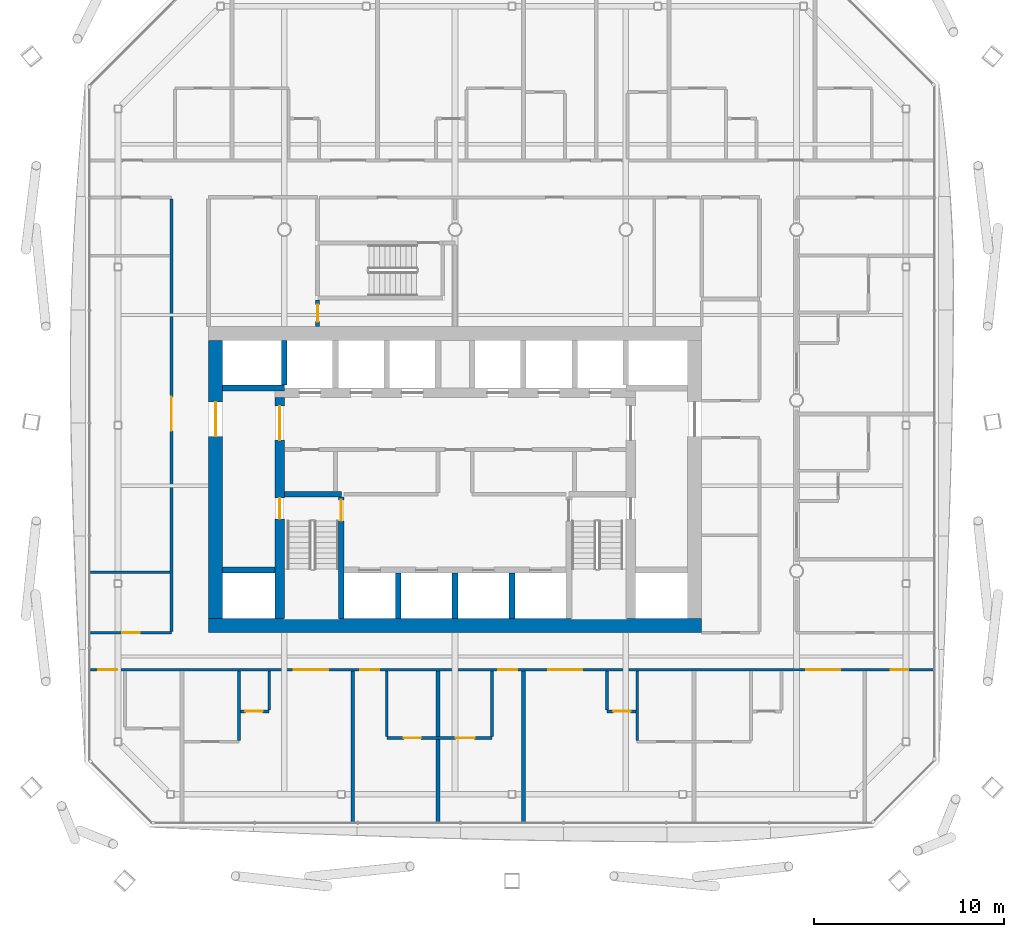
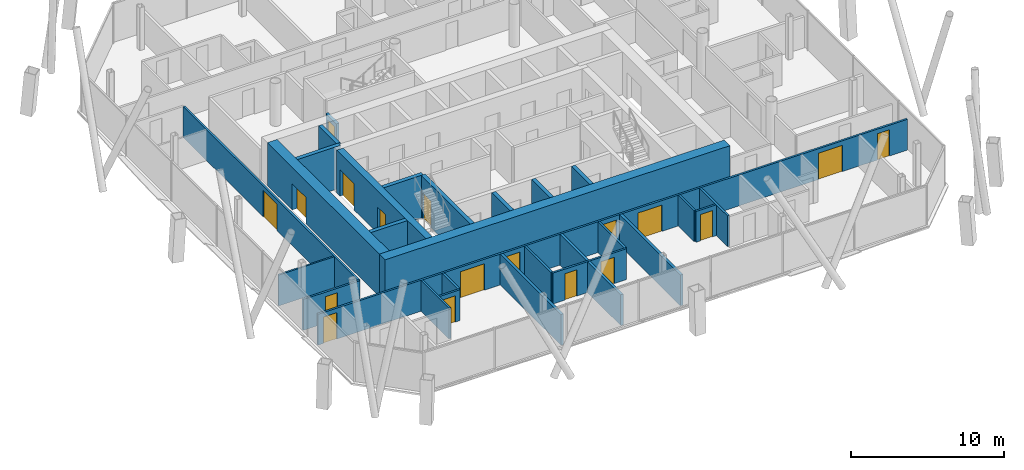
# One storey, part 14 of 23: 28 walls, 18 doors, 18 openings.
"""IFC4 building model written with IfcOpenShell, lengths in metres."""

import ifcopenshell
import ifcopenshell.guid

model = None  # the IFC model being written
_history = None  # IfcOwnerHistory: only IFC2X3 demands one
_inside = {}  # id of a spatial element -> (the spatial element, [elements in it])
_under = {}  # id of a project, library or spatial element -> (it, [spatial elements below it])
_declared = {}  # id of a project -> (the project, [libraries it declares])
_typed = {}  # id of a type object -> (the type object, [elements of that type])
_made_of = {}  # id of a material, layer set ... -> (it, [elements and type objects made of it])


def new_model(schema):
    """Start an empty IFC model of exactly this schema.

    Asked for "IFC4X3", IfcOpenShell would pick the latest addendum, in which some entities
    have other attributes; the version numbers below select the first issue.
    IFC2X3 requires an IfcOwnerHistory on every rooted entity: one is made here for all.
    """
    global model, _history
    if schema == "IFC4X3":
        model = ifcopenshell.file(schema_version=(4, 3, 0, 0))
    else:
        model = ifcopenshell.file(schema=schema)
    _inside.clear()
    _under.clear()
    _declared.clear()
    _typed.clear()
    _made_of.clear()
    _history = None
    if model.schema == "IFC2X3":
        org = make("IfcOrganization", Name="unknown")
        user = make(
            "IfcPersonAndOrganization",
            ThePerson=make("IfcPerson", FamilyName="unknown"),
            TheOrganization=org,
        )
        app = make(
            "IfcApplication",
            ApplicationDeveloper=org,
            Version="unknown",
            ApplicationFullName="unknown",
            ApplicationIdentifier="unknown",
        )
        _history = make(
            "IfcOwnerHistory",
            OwningUser=user,
            OwningApplication=app,
            ChangeAction="ADDED",
            CreationDate=0,
        )
    return model


def make(cls, **values):
    """One entity of the class cls with the attributes given. An attribute that is None is left unset."""
    return model.create_entity(
        cls, **{name: value for name, value in values.items() if value is not None}
    )


def rooted(cls, **values):
    """An entity with a GlobalId (a new one), such as an element, a storey or a relation."""
    return make(cls, GlobalId=ifcopenshell.guid.new(), OwnerHistory=_history, **values)


def si_unit(unit_type, name, prefix=None):
    """IfcSIUnit, for example si_unit("LENGTHUNIT", "METRE", prefix="MILLI")."""
    return make("IfcSIUnit", UnitType=unit_type, Prefix=prefix, Name=name)


def assignment(units):
    """IfcUnitAssignment: the units of a project."""
    return None if units is None else make("IfcUnitAssignment", Units=units)


def point(xyz):
    """IfcCartesianPoint."""
    return None if xyz is None else make("IfcCartesianPoint", Coordinates=xyz)


def direction(xyz):
    """IfcDirection."""
    return None if xyz is None else make("IfcDirection", DirectionRatios=xyz)


def frame(location, z_axis=None, x_axis=None):
    """IfcAxis2Placement3D, a coordinate frame: its origin and axes. An axis left out is left unset."""
    return make(
        "IfcAxis2Placement3D",
        Location=point(location),
        Axis=direction(z_axis),
        RefDirection=direction(x_axis),
    )


def frame_2d(location, x_axis=None):
    """IfcAxis2Placement2D, a coordinate frame in the plane: its origin and x axis."""
    return make(
        "IfcAxis2Placement2D", Location=point(location), RefDirection=direction(x_axis)
    )


def origin():
    """The frame at (0, 0, 0) with its axes left unset."""
    return frame((0.0, 0.0, 0.0))


def place(relative_to, where):
    """IfcLocalPlacement: puts the frame where relative to a parent placement (None: the world)."""
    return make(
        "IfcLocalPlacement", PlacementRelTo=relative_to, RelativePlacement=where
    )


def context(
    kind, dimensions, precision=None, world=None, true_north=None, identifier=None
):
    """IfcGeometricRepresentationContext, for example the 3D "Model" context."""
    return make(
        "IfcGeometricRepresentationContext",
        ContextIdentifier=identifier,
        ContextType=kind,
        CoordinateSpaceDimension=dimensions,
        Precision=precision,
        WorldCoordinateSystem=world,
        TrueNorth=true_north,
    )


def subcontext(parent, identifier, kind, view, scale=None):
    """IfcGeometricRepresentationSubContext, for example "Body" below "Model"."""
    return make(
        "IfcGeometricRepresentationSubContext",
        ContextIdentifier=identifier,
        ContextType=kind,
        ParentContext=parent,
        TargetScale=scale,
        TargetView=view,
    )


def project(units=None, contexts=None):
    """IfcProject with its units and contexts."""
    return rooted(
        "IfcProject",
        Name="project",
        RepresentationContexts=contexts,
        UnitsInContext=assignment(units),
    )


def spatial(cls, under=None, at=None, **own):
    """A site, building, storey or space (cls), placed at a placement, below another one or the project."""
    s = rooted(cls, ObjectPlacement=at, **own)
    if under is not None:
        _under.setdefault(under.id(), (under, []))[1].append(s)
    return s


def profile(cls, at=None, kind="AREA", **sizes):
    """A parametric profile (cls). Its sizes go by their IFC names, for example OverallWidth=200.0."""
    return make(cls, ProfileType=kind, Position=at, **sizes)


def rectangle(**sizes):
    """IfcRectangleProfileDef."""
    return profile("IfcRectangleProfileDef", **sizes)


def extrude(swept, where, along, depth):
    """IfcExtrudedAreaSolid: the profile swept, set in the frame where, extruded along a direction by depth."""
    return make(
        "IfcExtrudedAreaSolid",
        SweptArea=swept,
        Position=where,
        ExtrudedDirection=direction(along),
        Depth=depth,
    )


def shape(context_of_items, identifier, shape_type, items):
    """IfcShapeRepresentation: the items that make up one representation, for example the "Body"."""
    return make(
        "IfcShapeRepresentation",
        ContextOfItems=context_of_items,
        RepresentationIdentifier=identifier,
        RepresentationType=shape_type,
        Items=items,
    )


def material(Name=None, Category=None):
    """IfcMaterial."""
    return make("IfcMaterial", Name=Name, Category=Category)


def layer(
    of_material, thickness, ventilated=None, Name=None, Category=None, Priority=None
):
    """IfcMaterialLayer: one layer of a wall or slab, of a material (None: an air gap)."""
    return make(
        "IfcMaterialLayer",
        Material=of_material,
        LayerThickness=thickness,
        IsVentilated=ventilated,
        Name=Name,
        Category=Category,
        Priority=Priority,
    )


def layer_set(layers, Name=None):
    """IfcMaterialLayerSet."""
    return make("IfcMaterialLayerSet", MaterialLayers=layers, LayerSetName=Name)


def made_of(thing, what):
    """Note that an element or type object is made of a material, layer set ...; save() writes the relation."""
    if what is not None:
        _made_of.setdefault(what.id(), (what, []))[1].append(thing)
    return thing


def type_object(cls, material=None, **own):
    """A type object (cls), such as IfcWallType, which elements share."""
    return made_of(rooted(cls, **own), material)


def element(
    cls,
    number,
    at=None,
    inside=None,
    cuts=None,
    type_object=None,
    material=None,
    context=None,
    identifier="Body",
    shape_type=None,
    held_by="IfcProductDefinitionShape",
    body=None,
    shapes=None,
    **own,
):
    """One element of the class cls, such as IfcWall. Its Tag is "e" and its number.

    at: its placement. inside: the storey or other place that contains it. cuts: it is an
    opening in that element (IfcRelVoidsElement). A single representation is given by context,
    identifier, shape_type and body (its items); several are given by shapes. held_by: the class
    of the entity that holds the representations. save() writes the other relations.
    """
    e = rooted(cls, Tag="e%d" % number, ObjectPlacement=at, **own)
    if body is not None:
        shapes = [shape(context, identifier, shape_type, body)]
    if shapes is not None:
        e.Representation = make(held_by, Representations=shapes)
    if inside is not None:
        _inside.setdefault(inside.id(), (inside, []))[1].append(e)
    if cuts is not None:
        rooted(
            "IfcRelVoidsElement", RelatingBuildingElement=cuts, RelatedOpeningElement=e
        )
    if type_object is not None:
        _typed.setdefault(type_object.id(), (type_object, []))[1].append(e)
    return made_of(e, material)


def fill(opening, filler):
    """IfcRelFillsElement: the door or window that sits in an opening."""
    return rooted(
        "IfcRelFillsElement",
        RelatingOpeningElement=opening,
        RelatedBuildingElement=filler,
    )


def aggregate(whole, parts):
    """IfcRelAggregates: a whole, such as a stair, and the parts it consists of."""
    return rooted("IfcRelAggregates", RelatingObject=whole, RelatedObjects=parts)


def save(model, path):
    """Write the relations noted so far, then the file.

    IfcRelAggregates (storeys below a building ...), IfcRelContainedInSpatialStructure (elements
    in a storey), IfcRelDefinesByType, IfcRelAssociatesMaterial and IfcRelDeclares: one each for
    every whole, place, type object, material and project.
    """
    for whole, parts in _under.values():
        aggregate(whole, parts)
    for where, things in _inside.values():
        rooted(
            "IfcRelContainedInSpatialStructure",
            RelatedElements=things,
            RelatingStructure=where,
        )
    for kind, things in _typed.values():
        rooted("IfcRelDefinesByType", RelatedObjects=things, RelatingType=kind)
    for what, things in _made_of.values():
        rooted("IfcRelAssociatesMaterial", RelatedObjects=things, RelatingMaterial=what)
    for by, libraries in _declared.values():
        rooted("IfcRelDeclares", RelatingContext=by, RelatedDefinitions=libraries)
    model.write(path)


model = new_model("IFC4")

# Units and contexts
model_context = context("Model", 3, precision=1e-05, world=origin(), true_north=direction((0.0, 1.0)))
body_context = subcontext(model_context, "Body", "Model", "MODEL_VIEW")
ifc_project = project(units=[si_unit("LENGTHUNIT", "METRE"), si_unit("AREAUNIT", "SQUARE_METRE"), si_unit("VOLUMEUNIT", "CUBIC_METRE"), si_unit("PLANEANGLEUNIT", "RADIAN"), si_unit("MASSUNIT", "GRAM", prefix="KILO")], contexts=[model_context])

# Site, building, storey
site_placement = place(None, origin())
site = spatial("IfcSite", under=ifc_project, at=site_placement, CompositionType="ELEMENT")
building_placement = place(site_placement, origin())
building = spatial("IfcBuilding", under=site, at=building_placement, Name="Tskaro Facet Tower", CompositionType="ELEMENT")
storey_placement = place(building_placement, frame((0.0, 0.0, 141.89990234375)))
storey = spatial("IfcBuildingStorey", under=building, at=storey_placement, Name="L34", CompositionType="ELEMENT", Elevation=141.89990234375)

# Walls
ifc_material_1 = material(Name="Concrete C60/75", Category="concrete")
ifc_layer_1 = layer(ifc_material_1, 0.300048828125, Name="Concrete C60/75")
ifc_layer_set_1 = layer_set([ifc_layer_1], Name="Concrete C60/75")
wall_type_1 = type_object("IfcWallType", Name="CORE-SHAFT", PredefinedType="SHEAR", material=ifc_layer_set_1)
wall_1_placement = place(storey_placement, frame((-12.25, -8.949951171875, 0.0), z_axis=(0.0, 0.0, 1.0), x_axis=(1.0, 0.0, 0.0)))
element("IfcWall", 1, at=wall_1_placement, inside=storey, type_object=wall_type_1, Name="Shaft wall W013", PredefinedType="SHEAR", context=body_context, shape_type="SweptSolid", body=[
    extrude(rectangle(XDim=2.75, YDim=0.300048828125, at=frame_2d((1.375, 0.0))), origin(), (0.0, 0.0, 1.0), 3.400146484375),
])
wall_2_placement = place(storey_placement, frame((-9.0, -4.949951171875, 0.0), z_axis=(0.0, 0.0, 1.0), x_axis=(1.0, 0.0, 0.0)))
element("IfcWall", 2, at=wall_2_placement, inside=storey, type_object=wall_type_1, Name="Shaft wall W019", PredefinedType="SHEAR", context=body_context, shape_type="SweptSolid", body=[
    extrude(rectangle(XDim=3.0, YDim=0.300048828125, at=frame_2d((1.5, 0.0))), origin(), (0.0, 0.0, 1.0), 3.400146484375),
])
wall_3_placement = place(storey_placement, frame((-9.0, 0.64990234375, 0.0), z_axis=(0.0, 0.0, 1.0), x_axis=(-1.0, 0.0, 0.0)))
element("IfcWall", 3, at=wall_3_placement, inside=storey, type_object=wall_type_1, Name="Shaft wall W028", PredefinedType="SHEAR", context=body_context, shape_type="SweptSolid", body=[
    extrude(rectangle(XDim=3.25, YDim=0.300048828125, at=frame_2d((1.625, 0.0))), origin(), (0.0, 0.0, 1.0), 3.400146484375),
])
wall_4_placement = place(storey_placement, frame((-9.0, 0.800048828125, 0.0), z_axis=(0.0, 0.0, 1.0), x_axis=(0.0, 1.0, 0.0)))
element("IfcWall", 4, at=wall_4_placement, inside=storey, type_object=wall_type_1, Name="Shaft wall W062", PredefinedType="SHEAR", context=body_context, shape_type="SweptSolid", body=[
    extrude(rectangle(XDim=2.349853515625, YDim=0.300048828125, at=frame_2d((1.1748046875, 0.0))), origin(), (0.0, 0.0, 1.0), 3.400146484375),
])

# Wall, opening, door
wall_5_placement = place(storey_placement, frame((-6.0, -11.5, 0.0), z_axis=(0.0, 0.0, 1.0), x_axis=(0.0, 1.0, 0.0)))
wall_5 = element("IfcWall", 5, at=wall_5_placement, inside=storey, type_object=wall_type_1, Name="Shaft wall W070", PredefinedType="SHEAR", context=body_context, shape_type="SweptSolid", body=[
    extrude(rectangle(XDim=6.39990234375, YDim=0.300048828125, at=frame_2d((3.199951171875, 0.0))), origin(), (0.0, 0.0, 1.0), 3.400146484375),
])
opening_1_placement = place(wall_5_placement, frame((5.14990234375, 0.0, 0.0)))
opening_1 = element("IfcOpeningElement", 6, at=opening_1_placement, cuts=wall_5, Name="Opening ST-1-D1", PredefinedType="OPENING", context=body_context, shape_type="SweptSolid", body=[
    extrude(rectangle(XDim=1.10009765625, YDim=2.10009765625, at=frame_2d((0.550048828125, 1.050048828125))), frame((0.0, 0.159912109375, 0.0), z_axis=(0.0, -1.0, 0.0), x_axis=(1.0, 0.0, 0.0)), (0.0, 0.0, 1.0), 0.320068359375),
])
ifc_material_2 = material(Name="Steel", Category="steel")
door_type_1 = type_object("IfcDoorType", Name="D-STAIR", OperationType="NOTDEFINED", PredefinedType="DOOR", material=ifc_material_2)
door_1_placement = place(opening_1_placement, origin())
door_1 = element("IfcDoor", 7, at=door_1_placement, inside=storey, type_object=door_type_1, Name="Stair door 1", OperationType="SINGLE_SWING_LEFT", OverallHeight=2.10009765625, OverallWidth=1.10009765625, PredefinedType="DOOR", context=body_context, shape_type="SweptSolid", body=[
    extrude(rectangle(XDim=1.10009765625, YDim=2.10009765625, at=frame_2d((0.550048828125, 1.050048828125))), frame((0.0, 0.02490234375, 0.0), z_axis=(0.0, -1.0, 0.0), x_axis=(1.0, 0.0, 0.0)), (0.0, 0.0, 1.0), 0.050048828125),
])
fill(opening_1, door_1)

# Walls
for number, where, z_axis, x_axis, name in (
    (8, (-3.0, -11.5, 0.0), (0.0, 0.0, 1.0), (0.0, 1.0, 0.0), "Shaft wall W075"),
    (9, (0.0, -11.5, 0.0), (0.0, 0.0, 1.0), (0.0, 1.0, 0.0), "Shaft wall W081"),
    (10, (3.0, -11.5, 0.0), (0.0, 0.0, 1.0), (0.0, 1.0, 0.0), "Shaft wall W088"),
):
    element("IfcWall", number, at=place(storey_placement, frame(where, z_axis=z_axis, x_axis=x_axis)), inside=storey, type_object=wall_type_1, Name=name, PredefinedType="SHEAR", context=body_context, shape_type="SweptSolid", body=[
        extrude(rectangle(XDim=2.39990234375, YDim=0.300048828125, at=frame_2d((1.199951171875, 0.0))), origin(), (0.0, 0.0, 1.0), 3.400146484375),
    ])

# Wall, openings, doors
ifc_material_3 = material(Name="Concrete C40/50", Category="concrete")
ifc_layer_2 = layer(ifc_material_3, 0.5, Name="Concrete C40/50")
ifc_layer_set_2 = layer_set([ifc_layer_2], Name="Concrete C40/50")
wall_type_2 = type_object("IfcWallType", Name="Core wall 500", PredefinedType="SHEAR", material=ifc_layer_set_2)
wall_6_placement = place(storey_placement, frame((-9.25, -11.5, 0.0), z_axis=(0.0, 0.0, 1.0), x_axis=(0.0, 1.0, 0.0)))
wall_6 = element("IfcWall", 11, at=wall_6_placement, inside=storey, type_object=wall_type_2, Name="Core wall CW-Z3W", PredefinedType="SHEAR", context=body_context, shape_type="SweptSolid", body=[
    extrude(rectangle(XDim=11.64990234375, YDim=0.5, at=frame_2d((5.824951171875, 0.0))), origin(), (0.0, 0.0, 1.0), 3.400146484375),
])
opening_2_placement = place(wall_6_placement, frame((9.39990234375, 0.0, 0.0)))
opening_2 = element("IfcOpeningElement", 12, at=opening_2_placement, cuts=wall_6, Name="Opening T10-D30", PredefinedType="OPENING", context=body_context, shape_type="SweptSolid", body=[
    extrude(rectangle(XDim=1.800048828125, YDim=2.10009765625, at=frame_2d((0.89990234375, 1.050048828125))), frame((0.0, 0.260009765625, 0.0), z_axis=(0.0, -1.0, 0.0), x_axis=(1.0, 0.0, 0.0)), (0.0, 0.0, 1.0), 0.52001953125),
])
opening_3_placement = place(wall_6_placement, frame((5.25, 0.0, 0.0)))
opening_3 = element("IfcOpeningElement", 13, at=opening_3_placement, cuts=wall_6, Name="Opening ST-1-D2", PredefinedType="OPENING", context=body_context, shape_type="SweptSolid", body=[
    extrude(rectangle(XDim=1.10009765625, YDim=2.10009765625, at=frame_2d((0.550048828125, 1.050048828125))), frame((0.0, 0.260009765625, 0.0), z_axis=(0.0, -1.0, 0.0), x_axis=(1.0, 0.0, 0.0)), (0.0, 0.0, 1.0), 0.52001953125),
])
door_type_2 = type_object("IfcDoorType", Name="D-CORE-PAIR", OperationType="NOTDEFINED", PredefinedType="DOOR", material=ifc_material_2)
door_2_placement = place(opening_2_placement, origin())
door_2 = element("IfcDoor", 14, at=door_2_placement, inside=storey, type_object=door_type_2, Name="Door T10-D30", OperationType="DOUBLE_DOOR_SINGLE_SWING", OverallHeight=2.10009765625, OverallWidth=1.800048828125, PredefinedType="DOOR", context=body_context, shape_type="SweptSolid", body=[
    extrude(rectangle(XDim=1.800048828125, YDim=2.10009765625, at=frame_2d((0.89990234375, 1.050048828125))), frame((0.0, 0.02490234375, 0.0), z_axis=(0.0, -1.0, 0.0), x_axis=(1.0, 0.0, 0.0)), (0.0, 0.0, 1.0), 0.050048828125),
])
fill(opening_2, door_2)
door_3_placement = place(opening_3_placement, origin())
door_3 = element("IfcDoor", 15, at=door_3_placement, inside=storey, type_object=door_type_1, Name="Stair door 1 west", OperationType="SINGLE_SWING_LEFT", OverallHeight=2.10009765625, OverallWidth=1.10009765625, PredefinedType="DOOR", context=body_context, shape_type="SweptSolid", body=[
    extrude(rectangle(XDim=1.10009765625, YDim=2.10009765625, at=frame_2d((0.550048828125, 1.050048828125))), frame((0.0, 0.02490234375, 0.0), z_axis=(0.0, -1.0, 0.0), x_axis=(1.0, 0.0, 0.0)), (0.0, 0.0, 1.0), 0.050048828125),
])
fill(opening_3, door_3)

# Wall
ifc_material_4 = material(Name="Concrete C50/60", Category="concrete")
ifc_layer_3 = layer(ifc_material_4, 0.75, Name="Concrete C50/60")
ifc_layer_set_3 = layer_set([ifc_layer_3], Name="Concrete C50/60")
wall_type_3 = type_object("IfcWallType", Name="Core wall 750", PredefinedType="SHEAR", material=ifc_layer_set_3)
wall_7_placement = place(storey_placement, frame((-13.0, -11.875, 0.0), z_axis=(0.0, 0.0, 1.0), x_axis=(1.0, 0.0, 0.0)))
element("IfcWall", 16, at=wall_7_placement, inside=storey, type_object=wall_type_3, Name="Core wall CW-Z2S", PredefinedType="SHEAR", context=body_context, shape_type="SweptSolid", body=[
    extrude(rectangle(XDim=26.0, YDim=0.75, at=frame_2d((13.0, 0.0))), origin(), (0.0, 0.0, 1.0), 3.400146484375),
])

# Wall, opening, door
wall_8_placement = place(storey_placement, frame((-12.625, -11.5, 0.0), z_axis=(0.0, 0.0, 1.0), x_axis=(0.0, 1.0, 0.0)))
wall_8 = element("IfcWall", 17, at=wall_8_placement, inside=storey, type_object=wall_type_3, Name="Core wall CW-Z2W", PredefinedType="SHEAR", context=body_context, shape_type="SweptSolid", body=[
    extrude(rectangle(XDim=14.64990234375, YDim=0.75, at=frame_2d((7.324951171875, 0.0))), origin(), (0.0, 0.0, 1.0), 3.400146484375),
])
opening_4_placement = place(wall_8_placement, frame((9.60009765625, 0.0, 0.0)))
opening_4 = element("IfcOpeningElement", 18, at=opening_4_placement, cuts=wall_8, Name="Opening T10-D32", PredefinedType="OPENING", context=body_context, shape_type="SweptSolid", body=[
    extrude(rectangle(XDim=1.800048828125, YDim=2.10009765625, at=frame_2d((0.89990234375, 1.050048828125))), frame((0.0, 0.385009765625, 0.0), z_axis=(0.0, -1.0, 0.0), x_axis=(1.0, 0.0, 0.0)), (0.0, 0.0, 1.0), 0.77001953125),
])
door_4_placement = place(opening_4_placement, origin())
door_4 = element("IfcDoor", 19, at=door_4_placement, inside=storey, type_object=door_type_2, Name="Door T10-D32", OperationType="DOUBLE_DOOR_SINGLE_SWING", OverallHeight=2.10009765625, OverallWidth=1.800048828125, PredefinedType="DOOR", context=body_context, shape_type="SweptSolid", body=[
    extrude(rectangle(XDim=1.800048828125, YDim=2.10009765625, at=frame_2d((0.89990234375, 1.050048828125))), frame((0.0, 0.02490234375, 0.0), z_axis=(0.0, -1.0, 0.0), x_axis=(1.0, 0.0, 0.0)), (0.0, 0.0, 1.0), 0.050048828125),
])
fill(opening_4, door_4)

# Wall
ifc_material_5 = material(Name="Gypsum board on steel studs", Category="steel")
ifc_layer_4 = layer(ifc_material_5, 0.125, Name="Gypsum board on steel studs")
ifc_layer_set_4 = layer_set([ifc_layer_4], Name="Gypsum board on steel studs")
wall_type_4 = type_object("IfcWallType", Name="PART", PredefinedType="PARTITIONING", material=ifc_layer_set_4)
wall_9_placement = place(storey_placement, frame((-19.221923828125, -9.056884765625, 0.0), z_axis=(0.0, 0.0, 1.0), x_axis=(1.0, 0.0, 0.0)))
element("IfcWall", 20, at=wall_9_placement, inside=storey, type_object=wall_type_4, Name="Partition W012", PredefinedType="PARTITIONING", context=body_context, shape_type="SweptSolid", body=[
    extrude(rectangle(XDim=4.197021484375, YDim=0.125, at=frame_2d((2.0986328125, 0.0))), origin(), (0.0, 0.0, 1.0), 2.460205078125),
])

# Wall, openings, doors
ifc_layer_5 = layer(ifc_material_5, 0.14990234375, Name="Gypsum board on steel studs")
ifc_layer_set_5 = layer_set([ifc_layer_5], Name="Gypsum board on steel studs")
wall_type_5 = type_object("IfcWallType", Name="PART-CORR", PredefinedType="PARTITIONING", material=ifc_layer_set_5)
wall_10_placement = place(storey_placement, frame((-3.60009765625, -17.800048828125, 0.0), z_axis=(0.0, 0.0, 1.0), x_axis=(1.0, 0.0, 0.0)))
wall_10 = element("IfcWall", 21, at=wall_10_placement, inside=storey, type_object=wall_type_5, Name="Corridor wall W003", PredefinedType="PARTITIONING", context=body_context, shape_type="SweptSolid", body=[
    extrude(rectangle(XDim=5.550048828125, YDim=0.14990234375, at=frame_2d((2.77490234375, 0.0))), origin(), (0.0, 0.0, 1.0), 2.460205078125),
])
opening_5_placement = place(wall_10_placement, frame((0.89990234375, 0.0, 0.0)))
opening_5 = element("IfcOpeningElement", 22, at=opening_5_placement, cuts=wall_10, Name="Opening T10-D04", PredefinedType="OPENING", context=body_context, shape_type="SweptSolid", body=[
    extrude(rectangle(XDim=0.89990234375, YDim=2.10009765625, at=frame_2d((0.449951171875, 1.050048828125))), frame((0.0, 0.0849609375, 0.0), z_axis=(0.0, -1.0, 0.0), x_axis=(1.0, 0.0, 0.0)), (0.0, 0.0, 1.0), 0.169921875),
])
opening_6_placement = place(wall_10_placement, frame((3.625, 0.0, 0.0)))
opening_6 = element("IfcOpeningElement", 23, at=opening_6_placement, cuts=wall_10, Name="Opening T10-D05", PredefinedType="OPENING", context=body_context, shape_type="SweptSolid", body=[
    extrude(rectangle(XDim=1.0, YDim=2.10009765625, at=frame_2d((0.5, 1.050048828125))), frame((0.0, 0.0849609375, 0.0), z_axis=(0.0, -1.0, 0.0), x_axis=(1.0, 0.0, 0.0)), (0.0, 0.0, 1.0), 0.169921875),
])
ifc_material_6 = material(Name="Timber", Category="wood")
door_type_3 = type_object("IfcDoorType", Name="D-ROOM", OperationType="NOTDEFINED", PredefinedType="DOOR", material=ifc_material_6)
door_5_placement = place(opening_5_placement, origin())
door_5 = element("IfcDoor", 24, at=door_5_placement, inside=storey, type_object=door_type_3, Name="Door T10-D04", OperationType="SINGLE_SWING_LEFT", OverallHeight=2.10009765625, OverallWidth=0.89990234375, PredefinedType="DOOR", context=body_context, shape_type="SweptSolid", body=[
    extrude(rectangle(XDim=0.89990234375, YDim=2.10009765625, at=frame_2d((0.449951171875, 1.050048828125))), frame((0.0, 0.02490234375, 0.0), z_axis=(0.0, -1.0, 0.0), x_axis=(1.0, 0.0, 0.0)), (0.0, 0.0, 1.0), 0.050048828125),
])
fill(opening_5, door_5)
door_type_4 = type_object("IfcDoorType", Name="D-ROOM-WIDE", OperationType="NOTDEFINED", PredefinedType="DOOR", material=ifc_material_6)
door_6_placement = place(opening_6_placement, origin())
door_6 = element("IfcDoor", 25, at=door_6_placement, inside=storey, type_object=door_type_4, Name="Door T10-D05", OperationType="SINGLE_SWING_LEFT", OverallHeight=2.10009765625, OverallWidth=1.0, PredefinedType="DOOR", context=body_context, shape_type="SweptSolid", body=[
    extrude(rectangle(XDim=1.0, YDim=2.10009765625, at=frame_2d((0.5, 1.050048828125))), frame((0.0, 0.02490234375, 0.0), z_axis=(0.0, -1.0, 0.0), x_axis=(1.0, 0.0, 0.0)), (0.0, 0.0, 1.0), 0.050048828125),
])
fill(opening_6, door_6)

# Wall, opening, door
wall_11_placement = place(storey_placement, frame((-11.323974609375, -16.39990234375, 0.0), z_axis=(0.0, 0.0, 1.0), x_axis=(1.0, 0.0, 0.0)))
wall_11 = element("IfcWall", 26, at=wall_11_placement, inside=storey, type_object=wall_type_5, Name="Corridor wall W005", PredefinedType="PARTITIONING", context=body_context, shape_type="SweptSolid", body=[
    extrude(rectangle(XDim=1.52490234375, YDim=0.14990234375, at=frame_2d((0.762451171875, 0.0))), origin(), (0.0, 0.0, 1.0), 2.460205078125),
])
opening_7_placement = place(wall_11_placement, frame((0.27490234375, 0.0, 0.0)))
opening_7 = element("IfcOpeningElement", 27, at=opening_7_placement, cuts=wall_11, Name="Opening T10-D07", PredefinedType="OPENING", context=body_context, shape_type="SweptSolid", body=[
    extrude(rectangle(XDim=0.89990234375, YDim=2.10009765625, at=frame_2d((0.449951171875, 1.050048828125))), frame((0.0, 0.0849609375, 0.0), z_axis=(0.0, -1.0, 0.0), x_axis=(1.0, 0.0, 0.0)), (0.0, 0.0, 1.0), 0.169921875),
])
door_7_placement = place(opening_7_placement, origin())
door_7 = element("IfcDoor", 28, at=door_7_placement, inside=storey, type_object=door_type_3, Name="Door T10-D07", OperationType="SINGLE_SWING_LEFT", OverallHeight=2.10009765625, OverallWidth=0.89990234375, PredefinedType="DOOR", context=body_context, shape_type="SweptSolid", body=[
    extrude(rectangle(XDim=0.89990234375, YDim=2.10009765625, at=frame_2d((0.449951171875, 1.050048828125))), frame((0.0, 0.02490234375, 0.0), z_axis=(0.0, -1.0, 0.0), x_axis=(1.0, 0.0, 0.0)), (0.0, 0.0, 1.0), 0.050048828125),
])
fill(opening_7, door_7)

wall_12_placement = place(storey_placement, frame((8.0, -16.39990234375, 0.0), z_axis=(0.0, 0.0, 1.0), x_axis=(1.0, 0.0, 0.0)))
wall_12 = element("IfcWall", 29, at=wall_12_placement, inside=storey, type_object=wall_type_5, Name="Corridor wall W006", PredefinedType="PARTITIONING", context=body_context, shape_type="SweptSolid", body=[
    extrude(rectangle(XDim=1.52490234375, YDim=0.14990234375, at=frame_2d((0.762451171875, 0.0))), origin(), (0.0, 0.0, 1.0), 2.460205078125),
])
opening_8_placement = place(wall_12_placement, frame((0.35009765625, 0.0, 0.0)))
opening_8 = element("IfcOpeningElement", 30, at=opening_8_placement, cuts=wall_12, Name="Opening T10-D08", PredefinedType="OPENING", context=body_context, shape_type="SweptSolid", body=[
    extrude(rectangle(XDim=0.89990234375, YDim=2.10009765625, at=frame_2d((0.449951171875, 1.050048828125))), frame((0.0, 0.0849609375, 0.0), z_axis=(0.0, -1.0, 0.0), x_axis=(1.0, 0.0, 0.0)), (0.0, 0.0, 1.0), 0.169921875),
])
door_8_placement = place(opening_8_placement, origin())
door_8 = element("IfcDoor", 31, at=door_8_placement, inside=storey, type_object=door_type_3, Name="Door T10-D08", OperationType="SINGLE_SWING_LEFT", OverallHeight=2.10009765625, OverallWidth=0.89990234375, PredefinedType="DOOR", context=body_context, shape_type="SweptSolid", body=[
    extrude(rectangle(XDim=0.89990234375, YDim=2.10009765625, at=frame_2d((0.449951171875, 1.050048828125))), frame((0.0, 0.02490234375, 0.0), z_axis=(0.0, -1.0, 0.0), x_axis=(1.0, 0.0, 0.0)), (0.0, 0.0, 1.0), 0.050048828125),
])
fill(opening_8, door_8)

# Wall, openings, doors
wall_13_placement = place(storey_placement, frame((25.221923828125, -14.199951171875, 0.0), z_axis=(0.0, 0.0, 1.0), x_axis=(-1.0, 0.0, 0.0)))
wall_13 = element("IfcWall", 32, at=wall_13_placement, inside=storey, type_object=wall_type_5, Name="Corridor wall W008", PredefinedType="PARTITIONING", context=body_context, shape_type="SweptSolid", body=[
    extrude(rectangle(XDim=44.44384765625, YDim=0.14990234375, at=frame_2d((22.221923828125, 0.0))), origin(), (0.0, 0.0, 1.0), 2.460205078125),
])
opening_9_placement = place(wall_13_placement, frame((43.032470703125, 0.0, 0.0)))
opening_9 = element("IfcOpeningElement", 33, at=opening_9_placement, cuts=wall_13, Name="Opening T10-D10", PredefinedType="OPENING", context=body_context, shape_type="SweptSolid", body=[
    extrude(rectangle(XDim=1.0, YDim=2.10009765625, at=frame_2d((0.5, 1.050048828125))), frame((0.0, 0.0849609375, 0.0), z_axis=(0.0, -1.0, 0.0), x_axis=(1.0, 0.0, 0.0)), (0.0, 0.0, 1.0), 0.169921875),
])
opening_10_placement = place(wall_13_placement, frame((31.92138671875, 0.0, 0.0)))
opening_10 = element("IfcOpeningElement", 34, at=opening_10_placement, cuts=wall_13, Name="Opening T10-D11", PredefinedType="OPENING", context=body_context, shape_type="SweptSolid", body=[
    extrude(rectangle(XDim=1.800048828125, YDim=2.10009765625, at=frame_2d((0.89990234375, 1.050048828125))), frame((0.0, 0.0849609375, 0.0), z_axis=(0.0, -1.0, 0.0), x_axis=(1.0, 0.0, 0.0)), (0.0, 0.0, 1.0), 0.169921875),
])
opening_11_placement = place(wall_13_placement, frame((29.221923828125, 0.0, 0.0)))
opening_11 = element("IfcOpeningElement", 35, at=opening_11_placement, cuts=wall_13, Name="Opening T10-D12", PredefinedType="OPENING", context=body_context, shape_type="SweptSolid", body=[
    extrude(rectangle(XDim=1.0, YDim=2.10009765625, at=frame_2d((0.5, 1.050048828125))), frame((0.0, 0.0849609375, 0.0), z_axis=(0.0, -1.0, 0.0), x_axis=(1.0, 0.0, 0.0)), (0.0, 0.0, 1.0), 0.169921875),
])
opening_12_placement = place(wall_13_placement, frame((21.947021484375, 0.0, 0.0)))
opening_12 = element("IfcOpeningElement", 36, at=opening_12_placement, cuts=wall_13, Name="Opening T10-D13", PredefinedType="OPENING", context=body_context, shape_type="SweptSolid", body=[
    extrude(rectangle(XDim=1.0, YDim=2.10009765625, at=frame_2d((0.5, 1.050048828125))), frame((0.0, 0.0849609375, 0.0), z_axis=(0.0, -1.0, 0.0), x_axis=(1.0, 0.0, 0.0)), (0.0, 0.0, 1.0), 0.169921875),
])
opening_13_placement = place(wall_13_placement, frame((18.52197265625, 0.0, 0.0)))
opening_13 = element("IfcOpeningElement", 37, at=opening_13_placement, cuts=wall_13, Name="Opening T10-D14", PredefinedType="OPENING", context=body_context, shape_type="SweptSolid", body=[
    extrude(rectangle(XDim=1.800048828125, YDim=2.10009765625, at=frame_2d((0.89990234375, 1.050048828125))), frame((0.0, 0.0849609375, 0.0), z_axis=(0.0, -1.0, 0.0), x_axis=(1.0, 0.0, 0.0)), (0.0, 0.0, 1.0), 0.169921875),
])
opening_14_placement = place(wall_13_placement, frame((4.922607421875, 0.0, 0.0)))
opening_14 = element("IfcOpeningElement", 38, at=opening_14_placement, cuts=wall_13, Name="Opening T10-D15", PredefinedType="OPENING", context=body_context, shape_type="SweptSolid", body=[
    extrude(rectangle(XDim=1.800048828125, YDim=2.10009765625, at=frame_2d((0.89990234375, 1.050048828125))), frame((0.0, 0.0849609375, 0.0), z_axis=(0.0, -1.0, 0.0), x_axis=(1.0, 0.0, 0.0)), (0.0, 0.0, 1.0), 0.169921875),
])
opening_15_placement = place(wall_13_placement, frame((1.361572265625, 0.0, 0.0)))
opening_15 = element("IfcOpeningElement", 39, at=opening_15_placement, cuts=wall_13, Name="Opening T10-D16", PredefinedType="OPENING", context=body_context, shape_type="SweptSolid", body=[
    extrude(rectangle(XDim=0.89990234375, YDim=2.10009765625, at=frame_2d((0.449951171875, 1.050048828125))), frame((0.0, 0.0849609375, 0.0), z_axis=(0.0, -1.0, 0.0), x_axis=(1.0, 0.0, 0.0)), (0.0, 0.0, 1.0), 0.169921875),
])
door_type_5 = type_object("IfcDoorType", Name="D-ENTRY", OperationType="NOTDEFINED", PredefinedType="DOOR", material=ifc_material_6)
door_9_placement = place(opening_9_placement, origin())
door_9 = element("IfcDoor", 40, at=door_9_placement, inside=storey, type_object=door_type_5, Name="Door T10-D10", OperationType="SINGLE_SWING_LEFT", OverallHeight=2.10009765625, OverallWidth=1.0, PredefinedType="DOOR", context=body_context, shape_type="SweptSolid", body=[
    extrude(rectangle(XDim=1.0, YDim=2.10009765625, at=frame_2d((0.5, 1.050048828125))), frame((0.0, 0.02490234375, 0.0), z_axis=(0.0, -1.0, 0.0), x_axis=(1.0, 0.0, 0.0)), (0.0, 0.0, 1.0), 0.050048828125),
])
fill(opening_9, door_9)
door_10_placement = place(opening_11_placement, origin())
door_10 = element("IfcDoor", 41, at=door_10_placement, inside=storey, type_object=door_type_5, Name="Door T10-D12", OperationType="SINGLE_SWING_RIGHT", OverallHeight=2.10009765625, OverallWidth=1.0, PredefinedType="DOOR", context=body_context, shape_type="SweptSolid", body=[
    extrude(rectangle(XDim=1.0, YDim=2.10009765625, at=frame_2d((0.5, 1.050048828125))), frame((0.0, 0.02490234375, 0.0), z_axis=(0.0, -1.0, 0.0), x_axis=(1.0, 0.0, 0.0)), (0.0, 0.0, 1.0), 0.050048828125),
])
fill(opening_11, door_10)
door_11_placement = place(opening_12_placement, origin())
door_11 = element("IfcDoor", 42, at=door_11_placement, inside=storey, type_object=door_type_5, Name="Door T10-D13", OperationType="SINGLE_SWING_LEFT", OverallHeight=2.10009765625, OverallWidth=1.0, PredefinedType="DOOR", context=body_context, shape_type="SweptSolid", body=[
    extrude(rectangle(XDim=1.0, YDim=2.10009765625, at=frame_2d((0.5, 1.050048828125))), frame((0.0, 0.02490234375, 0.0), z_axis=(0.0, -1.0, 0.0), x_axis=(1.0, 0.0, 0.0)), (0.0, 0.0, 1.0), 0.050048828125),
])
fill(opening_12, door_11)
door_12_placement = place(opening_15_placement, origin())
door_12 = element("IfcDoor", 43, at=door_12_placement, inside=storey, type_object=door_type_3, Name="Door T10-D16", OperationType="SINGLE_SWING_RIGHT", OverallHeight=2.10009765625, OverallWidth=0.89990234375, PredefinedType="DOOR", context=body_context, shape_type="SweptSolid", body=[
    extrude(rectangle(XDim=0.89990234375, YDim=2.10009765625, at=frame_2d((0.449951171875, 1.050048828125))), frame((0.0, 0.02490234375, 0.0), z_axis=(0.0, -1.0, 0.0), x_axis=(1.0, 0.0, 0.0)), (0.0, 0.0, 1.0), 0.050048828125),
])
fill(opening_15, door_12)
door_type_6 = type_object("IfcDoorType", Name="D-SUITE-PAIR", OperationType="NOTDEFINED", PredefinedType="DOOR", material=ifc_material_6)
door_13_placement = place(opening_10_placement, origin())
door_13 = element("IfcDoor", 44, at=door_13_placement, inside=storey, type_object=door_type_6, Name="Door T10-D11", OperationType="DOUBLE_DOOR_SINGLE_SWING", OverallHeight=2.10009765625, OverallWidth=1.800048828125, PredefinedType="DOOR", context=body_context, shape_type="SweptSolid", body=[
    extrude(rectangle(XDim=1.800048828125, YDim=2.10009765625, at=frame_2d((0.89990234375, 1.050048828125))), frame((0.0, 0.02490234375, 0.0), z_axis=(0.0, -1.0, 0.0), x_axis=(1.0, 0.0, 0.0)), (0.0, 0.0, 1.0), 0.050048828125),
])
fill(opening_10, door_13)
door_14_placement = place(opening_13_placement, origin())
door_14 = element("IfcDoor", 45, at=door_14_placement, inside=storey, type_object=door_type_6, Name="Door T10-D14", OperationType="DOUBLE_DOOR_SINGLE_SWING", OverallHeight=2.10009765625, OverallWidth=1.800048828125, PredefinedType="DOOR", context=body_context, shape_type="SweptSolid", body=[
    extrude(rectangle(XDim=1.800048828125, YDim=2.10009765625, at=frame_2d((0.89990234375, 1.050048828125))), frame((0.0, 0.02490234375, 0.0), z_axis=(0.0, -1.0, 0.0), x_axis=(1.0, 0.0, 0.0)), (0.0, 0.0, 1.0), 0.050048828125),
])
fill(opening_13, door_14)
door_15_placement = place(opening_14_placement, origin())
door_15 = element("IfcDoor", 46, at=door_15_placement, inside=storey, type_object=door_type_6, Name="Door T10-D15", OperationType="DOUBLE_DOOR_SINGLE_SWING", OverallHeight=2.10009765625, OverallWidth=1.800048828125, PredefinedType="DOOR", context=body_context, shape_type="SweptSolid", body=[
    extrude(rectangle(XDim=1.800048828125, YDim=2.10009765625, at=frame_2d((0.89990234375, 1.050048828125))), frame((0.0, 0.02490234375, 0.0), z_axis=(0.0, -1.0, 0.0), x_axis=(1.0, 0.0, 0.0)), (0.0, 0.0, 1.0), 0.050048828125),
])
fill(opening_14, door_15)

# Wall, opening, door
wall_14_placement = place(storey_placement, frame((-19.221923828125, -12.25, 0.0), z_axis=(0.0, 0.0, 1.0), x_axis=(1.0, 0.0, 0.0)))
wall_14 = element("IfcWall", 47, at=wall_14_placement, inside=storey, type_object=wall_type_5, Name="Corridor wall W009", PredefinedType="PARTITIONING", context=body_context, shape_type="SweptSolid", body=[
    extrude(rectangle(XDim=4.27197265625, YDim=0.14990234375, at=frame_2d((2.135986328125, 0.0))), origin(), (0.0, 0.0, 1.0), 2.460205078125),
])
opening_16_placement = place(wall_14_placement, frame((1.68603515625, 0.0, 0.0)))
opening_16 = element("IfcOpeningElement", 48, at=opening_16_placement, cuts=wall_14, Name="Opening T10-D17", PredefinedType="OPENING", context=body_context, shape_type="SweptSolid", body=[
    extrude(rectangle(XDim=0.89990234375, YDim=2.10009765625, at=frame_2d((0.449951171875, 1.050048828125))), frame((0.0, 0.0849609375, 0.0), z_axis=(0.0, -1.0, 0.0), x_axis=(1.0, 0.0, 0.0)), (0.0, 0.0, 1.0), 0.169921875),
])
door_16_placement = place(opening_16_placement, origin())
door_16 = element("IfcDoor", 49, at=door_16_placement, inside=storey, type_object=door_type_3, Name="Door T10-D17", OperationType="SINGLE_SWING_LEFT", OverallHeight=2.10009765625, OverallWidth=0.89990234375, PredefinedType="DOOR", context=body_context, shape_type="SweptSolid", body=[
    extrude(rectangle(XDim=0.89990234375, YDim=2.10009765625, at=frame_2d((0.449951171875, 1.050048828125))), frame((0.0, 0.02490234375, 0.0), z_axis=(0.0, -1.0, 0.0), x_axis=(1.0, 0.0, 0.0)), (0.0, 0.0, 1.0), 0.050048828125),
])
fill(opening_16, door_16)

wall_15_placement = place(storey_placement, frame((-14.949951171875, -12.175048828125, 0.0), z_axis=(0.0, 0.0, 1.0), x_axis=(0.0, 1.0, 0.0)))
wall_15 = element("IfcWall", 50, at=wall_15_placement, inside=storey, type_object=wall_type_5, Name="Corridor wall W055", PredefinedType="PARTITIONING", context=body_context, shape_type="SweptSolid", body=[
    extrude(rectangle(XDim=22.800048828125, YDim=0.14990234375, at=frame_2d((11.39990234375, 0.0))), origin(), (0.0, 0.0, 1.0), 2.460205078125),
])
opening_17_placement = place(wall_15_placement, frame((10.5595703125, 0.0, 0.0)))
opening_17 = element("IfcOpeningElement", 51, at=opening_17_placement, cuts=wall_15, Name="Opening T10-D34", PredefinedType="OPENING", context=body_context, shape_type="SweptSolid", body=[
    extrude(rectangle(XDim=1.800048828125, YDim=2.10009765625, at=frame_2d((0.89990234375, 1.050048828125))), frame((0.0, 0.0849609375, 0.0), z_axis=(0.0, -1.0, 0.0), x_axis=(1.0, 0.0, 0.0)), (0.0, 0.0, 1.0), 0.169921875),
])
ifc_material_7 = material(Name="Glass", Category="glass")
door_type_7 = type_object("IfcDoorType", Name="D-ENTRY-PAIR", OperationType="NOTDEFINED", PredefinedType="DOOR", material=ifc_material_7)
door_17_placement = place(opening_17_placement, origin())
door_17 = element("IfcDoor", 52, at=door_17_placement, inside=storey, type_object=door_type_7, Name="Door T10-D34", OperationType="DOUBLE_DOOR_SINGLE_SWING", OverallHeight=2.10009765625, OverallWidth=1.800048828125, PredefinedType="DOOR", context=body_context, shape_type="SweptSolid", body=[
    extrude(rectangle(XDim=1.800048828125, YDim=2.10009765625, at=frame_2d((0.89990234375, 1.050048828125))), frame((0.0, 0.02490234375, 0.0), z_axis=(0.0, -1.0, 0.0), x_axis=(1.0, 0.0, 0.0)), (0.0, 0.0, 1.0), 0.050048828125),
])
fill(opening_17, door_17)

# Walls
wall_16_placement = place(storey_placement, frame((-11.39892578125, -17.925048828125, 0.0), z_axis=(0.0, 0.0, 1.0), x_axis=(0.0, 1.0, 0.0)))
element("IfcWall", 53, at=wall_16_placement, inside=storey, type_object=wall_type_5, Name="Corridor wall W060", PredefinedType="PARTITIONING", context=body_context, shape_type="SweptSolid", body=[
    extrude(rectangle(XDim=3.650146484375, YDim=0.14990234375, at=frame_2d((1.8251953125, 0.0))), origin(), (0.0, 0.0, 1.0), 2.460205078125),
])
wall_17_placement = place(storey_placement, frame((-9.799072265625, -16.324951171875, 0.0), z_axis=(0.0, 0.0, 1.0), x_axis=(0.0, 1.0, 0.0)))
element("IfcWall", 54, at=wall_17_placement, inside=storey, type_object=wall_type_5, Name="Corridor wall W061", PredefinedType="PARTITIONING", context=body_context, shape_type="SweptSolid", body=[
    extrude(rectangle(XDim=2.050048828125, YDim=0.14990234375, at=frame_2d((1.02490234375, 0.0))), origin(), (0.0, 0.0, 1.0), 2.460205078125),
])
for number, where, z_axis, x_axis, name in (
    (55, (-3.60009765625, -17.72509765625, 0.0), (0.0, 0.0, 1.0), (0.0, 1.0, 0.0), "Corridor wall W073"),
    (56, (1.949951171875, -17.72509765625, 0.0), (0.0, 0.0, 1.0), (0.0, 1.0, 0.0), "Corridor wall W087"),
):
    element("IfcWall", number, at=place(storey_placement, frame(where, z_axis=z_axis, x_axis=x_axis)), inside=storey, type_object=wall_type_5, Name=name, PredefinedType="PARTITIONING", context=body_context, shape_type="SweptSolid", body=[
        extrude(rectangle(XDim=3.4501953125, YDim=0.14990234375, at=frame_2d((1.72509765625, 0.0))), origin(), (0.0, 0.0, 1.0), 2.460205078125),
    ])
wall_18_placement = place(storey_placement, frame((8.0, -16.324951171875, 0.0), z_axis=(0.0, 0.0, 1.0), x_axis=(0.0, 1.0, 0.0)))
element("IfcWall", 57, at=wall_18_placement, inside=storey, type_object=wall_type_5, Name="Corridor wall W097", PredefinedType="PARTITIONING", context=body_context, shape_type="SweptSolid", body=[
    extrude(rectangle(XDim=2.050048828125, YDim=0.14990234375, at=frame_2d((1.02490234375, 0.0))), origin(), (0.0, 0.0, 1.0), 2.460205078125),
])
wall_19_placement = place(storey_placement, frame((9.60009765625, -17.925048828125, 0.0), z_axis=(0.0, 0.0, 1.0), x_axis=(0.0, 1.0, 0.0)))
element("IfcWall", 58, at=wall_19_placement, inside=storey, type_object=wall_type_5, Name="Corridor wall W100", PredefinedType="PARTITIONING", context=body_context, shape_type="SweptSolid", body=[
    extrude(rectangle(XDim=3.650146484375, YDim=0.14990234375, at=frame_2d((1.8251953125, 0.0))), origin(), (0.0, 0.0, 1.0), 2.460205078125),
])
ifc_layer_6 = layer(ifc_material_5, 0.199951171875, Name="Gypsum board on steel studs")
ifc_layer_set_6 = layer_set([ifc_layer_6], Name="Gypsum board on steel studs")
wall_type_6 = type_object("IfcWallType", Name="PART-DEMISING", PredefinedType="PARTITIONING", material=ifc_layer_set_6)
for number, where, z_axis, x_axis, name in (
    (59, (-5.39990234375, -22.221923828125, 0.0), (0.0, 0.0, 1.0), (0.0, 1.0, 0.0), "Guest room wall W071"),
    (60, (-0.89990234375, -22.221923828125, 0.0), (0.0, 0.0, 1.0), (0.0, 1.0, 0.0), "Guest room wall W077"),
    (61, (3.60009765625, -22.221923828125, 0.0), (0.0, 0.0, 1.0), (0.0, 1.0, 0.0), "Guest room wall W089"),
):
    element("IfcWall", number, at=place(storey_placement, frame(where, z_axis=z_axis, x_axis=x_axis)), inside=storey, type_object=wall_type_6, Name=name, PredefinedType="PARTITIONING", context=body_context, shape_type="SweptSolid", body=[
        extrude(rectangle(XDim=7.947021484375, YDim=0.199951171875, at=frame_2d((3.9736328125, 0.0))), origin(), (0.0, 0.0, 1.0), 2.460205078125),
    ])

# Wall, opening, door
ifc_material_8 = material(Name="Concrete C20/25", Category="concrete")
ifc_layer_7 = layer(ifc_material_8, 0.199951171875, Name="Concrete C20/25")
ifc_layer_set_7 = layer_set([ifc_layer_7], Name="Concrete C20/25")
wall_type_7 = type_object("IfcWallType", Name="WALL-RISER", PredefinedType="SOLIDWALL", material=ifc_layer_set_7)
wall_20_placement = place(storey_placement, frame((-7.25, 5.300048828125, 0.0), z_axis=(0.0, 0.0, 1.0), x_axis=(0.0, -1.0, 0.0)))
wall_20 = element("IfcWall", 62, at=wall_20_placement, inside=storey, type_object=wall_type_7, Name="Riser room wall W064", PredefinedType="SOLIDWALL", context=body_context, shape_type="SweptSolid", body=[
    extrude(rectangle(XDim=1.400146484375, YDim=0.199951171875, at=frame_2d((0.7001953125, 0.0))), origin(), (0.0, 0.0, 1.0), 2.460205078125),
])
opening_18_placement = place(wall_20_placement, frame((0.25, 0.0, 0.0)))
opening_18 = element("IfcOpeningElement", 63, at=opening_18_placement, cuts=wall_20, Name="Opening T10-D40", PredefinedType="OPENING", context=body_context, shape_type="SweptSolid", body=[
    extrude(rectangle(XDim=0.89990234375, YDim=2.10009765625, at=frame_2d((0.449951171875, 1.050048828125))), frame((0.0, 0.10986328125, 0.0), z_axis=(0.0, -1.0, 0.0), x_axis=(1.0, 0.0, 0.0)), (0.0, 0.0, 1.0), 0.219970703125),
])
door_type_8 = type_object("IfcDoorType", Name="D-RISER", OperationType="NOTDEFINED", PredefinedType="DOOR", material=ifc_material_2)
door_18_placement = place(opening_18_placement, origin())
door_18 = element("IfcDoor", 64, at=door_18_placement, inside=storey, type_object=door_type_8, Name="Door T10-D40", OperationType="SINGLE_SWING_RIGHT", OverallHeight=2.10009765625, OverallWidth=0.89990234375, PredefinedType="DOOR", context=body_context, shape_type="SweptSolid", body=[
    extrude(rectangle(XDim=0.89990234375, YDim=2.10009765625, at=frame_2d((0.449951171875, 1.050048828125))), frame((0.0, 0.02490234375, 0.0), z_axis=(0.0, -1.0, 0.0), x_axis=(1.0, 0.0, 0.0)), (0.0, 0.0, 1.0), 0.050048828125),
])
fill(opening_18, door_18)

save(model, "model.ifc")
